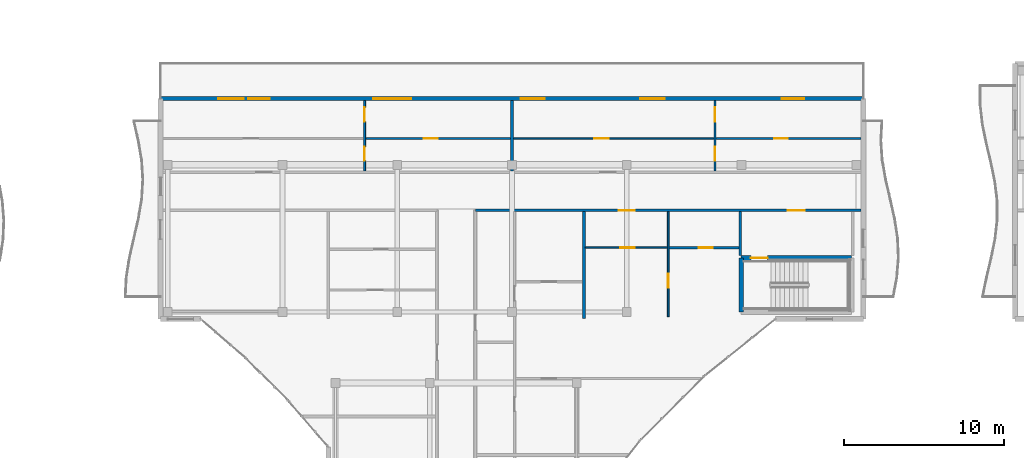
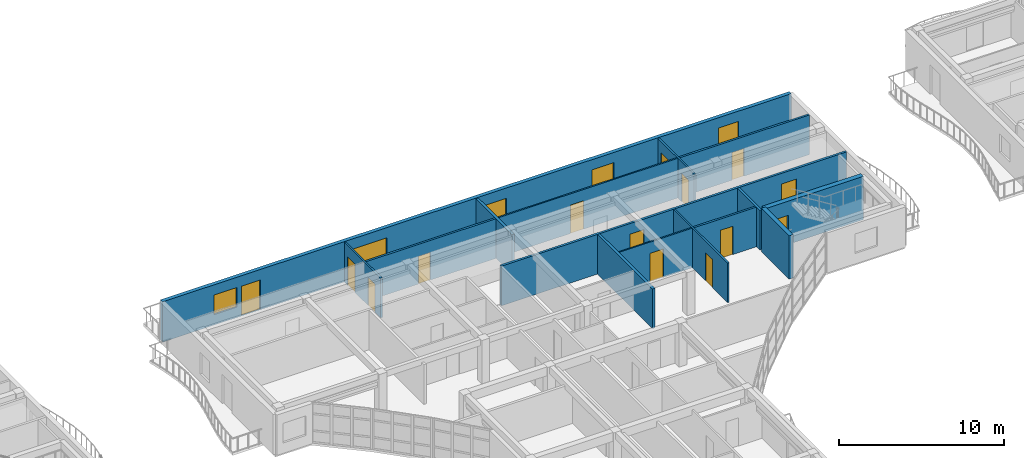
# One storey, part 33 of 54: 15 walls, 14 doors, 5 windows, 19 openings.
"""IFC4 building model written with IfcOpenShell, lengths in metres."""

from ifc_helpers import new_model, si_unit, direction, frame, frame_2d, origin, place, context, subcontext, project, spatial, rectangle, extrude, material, layer, layer_set, type_object, element, fill, save


model = new_model("IFC4")

# Units and contexts
model_context = context("Model", 3, precision=1e-05, world=origin(), true_north=direction((0.0, 1.0)))
body_context = subcontext(model_context, "Body", "Model", "MODEL_VIEW")
ifc_project = project(units=[si_unit("LENGTHUNIT", "METRE"), si_unit("AREAUNIT", "SQUARE_METRE"), si_unit("VOLUMEUNIT", "CUBIC_METRE"), si_unit("PLANEANGLEUNIT", "RADIAN"), si_unit("MASSUNIT", "GRAM", prefix="KILO")], contexts=[model_context])

# Site, building, storey
site_placement = place(None, origin())
site = spatial("IfcSite", under=ifc_project, at=site_placement, CompositionType="ELEMENT")
building_placement = place(site_placement, origin())
building = spatial("IfcBuilding", under=site, at=building_placement, Name="Keldmere Railside Commons", CompositionType="ELEMENT")
storey_placement = place(building_placement, frame((0.0, 0.0, 26.56005859375)))
storey = spatial("IfcBuildingStorey", under=building, at=storey_placement, Name="L08", CompositionType="ELEMENT", Elevation=26.56005859375)

# Walls
ifc_material_1 = material(Name="Acoustic Gypsum Board Partition", Category="gypsum")
ifc_layer_1 = layer(ifc_material_1, 0.179931640625, Name="Acoustic Demising Partition 180")
ifc_layer_set_1 = layer_set([ifc_layer_1], Name="Acoustic Gypsum Board Partition")
wall_type_1 = type_object("IfcWallType", Name="Acoustic Demising Partition 180", PredefinedType="PARTITIONING", material=ifc_layer_set_1)
wall_1_placement = place(storey_placement, frame((120.0, 100.050048828125, 0.0), z_axis=(0.0, 0.0, 1.0), x_axis=(0.0, 1.0, 0.0)))
element("IfcWall", 1, at=wall_1_placement, inside=storey, type_object=wall_type_1, Name="IW-1 IW-L08-1236", PredefinedType="PARTITIONING", context=body_context, shape_type="SweptSolid", body=[
    extrude(rectangle(XDim=6.669921875, YDim=0.179931640625, at=frame_2d((3.3349609375, 0.0))), origin(), (0.0, 0.0, 1.0), 2.93505859375),
])
wall_2_placement = place(storey_placement, frame((115.5, 109.280029296875, 0.0), z_axis=(0.0, 0.0, 1.0), x_axis=(0.0, 1.0, 0.0)))
element("IfcWall", 2, at=wall_2_placement, inside=storey, type_object=wall_type_1, Name="IW-1 IW-L08-1254", PredefinedType="PARTITIONING", context=body_context, shape_type="SweptSolid", body=[
    extrude(rectangle(XDim=4.389892578125, YDim=0.179931640625, at=frame_2d((2.19482421875, 0.0))), origin(), (0.0, 0.0, 1.0), 2.93505859375),
])

# Wall, openings, doors
ifc_layer_2 = layer(ifc_material_1, 0.1201171875, Name="Apartment Interior Partition 120")
ifc_layer_set_2 = layer_set([ifc_layer_2], Name="Acoustic Gypsum Board Partition")
wall_type_2 = type_object("IfcWallType", Name="Apartment Interior Partition 120", PredefinedType="PARTITIONING", material=ifc_layer_set_2)
wall_3_placement = place(storey_placement, frame((106.27001953125, 109.280029296875, 0.0), z_axis=(0.0, 0.0, 1.0), x_axis=(0.0, 1.0, 0.0)))
wall_3 = element("IfcWall", 3, at=wall_3_placement, inside=storey, type_object=wall_type_2, Name="IW-4 IW-L08-1255", PredefinedType="PARTITIONING", context=body_context, shape_type="SweptSolid", body=[
    extrude(rectangle(XDim=4.389892578125, YDim=0.1201171875, at=frame_2d((2.19482421875, 0.0))), origin(), (0.0, 0.0, 1.0), 2.93505859375),
])
opening_1_placement = place(wall_3_placement, frame((0.646484375, 0.0, 0.0)))
opening_1 = element("IfcOpeningElement", 4, at=opening_1_placement, cuts=wall_3, Name="Opening ID-04", PredefinedType="OPENING", context=body_context, shape_type="SweptSolid", body=[
    extrude(rectangle(XDim=0.860107421875, YDim=2.10009765625, at=frame_2d((0.43017578125, 1.050048828125))), frame((0.0, 0.070068359375, 0.0), z_axis=(0.0, -1.0, 0.0), x_axis=(1.0, 0.0, 0.0)), (0.0, 0.0, 1.0), 0.14013671875),
])
opening_2_placement = place(wall_3_placement, frame((3.08642578125, 0.0, 0.0)))
opening_2 = element("IfcOpeningElement", 5, at=opening_2_placement, cuts=wall_3, Name="Opening ID-01", PredefinedType="OPENING", context=body_context, shape_type="SweptSolid", body=[
    extrude(rectangle(XDim=0.89990234375, YDim=2.10009765625, at=frame_2d((0.449951171875, 1.050048828125))), frame((0.0, 0.070068359375, 0.0), z_axis=(0.0, -1.0, 0.0), x_axis=(1.0, 0.0, 0.0)), (0.0, 0.0, 1.0), 0.14013671875),
])
ifc_material_2 = material(Name="Engineered Oak Timber", Category="wood")
door_type_1 = type_object("IfcDoorType", Name="Apartment Bathroom Door 860x2100", OperationType="NOTDEFINED", PredefinedType="DOOR", material=ifc_material_2)
door_1_placement = place(opening_1_placement, origin())
door_1 = element("IfcDoor", 6, at=door_1_placement, inside=storey, type_object=door_type_1, Name="ID-04 IDR-L08-1117", OperationType="SINGLE_SWING_LEFT", OverallHeight=2.10009765625, OverallWidth=0.860107421875, PredefinedType="DOOR", context=body_context, shape_type="SweptSolid", body=[
    extrude(rectangle(XDim=0.860107421875, YDim=2.10009765625, at=frame_2d((0.43017578125, 1.050048828125))), frame((0.0, 0.02490234375, 0.0), z_axis=(0.0, -1.0, 0.0), x_axis=(1.0, 0.0, 0.0)), (0.0, 0.0, 1.0), 0.050048828125),
])
fill(opening_1, door_1)
door_type_2 = type_object("IfcDoorType", Name="Primary Bedroom Door 900x2100", OperationType="NOTDEFINED", PredefinedType="DOOR", material=ifc_material_2)
door_2_placement = place(opening_2_placement, origin())
door_2 = element("IfcDoor", 7, at=door_2_placement, inside=storey, type_object=door_type_2, Name="ID-01 IDR-L08-1118", OperationType="SINGLE_SWING_RIGHT", OverallHeight=2.10009765625, OverallWidth=0.89990234375, PredefinedType="DOOR", context=body_context, shape_type="SweptSolid", body=[
    extrude(rectangle(XDim=0.89990234375, YDim=2.10009765625, at=frame_2d((0.449951171875, 1.050048828125))), frame((0.0, 0.02490234375, 0.0), z_axis=(0.0, -1.0, 0.0), x_axis=(1.0, 0.0, 0.0)), (0.0, 0.0, 1.0), 0.050048828125),
])
fill(opening_2, door_2)

wall_4_placement = place(storey_placement, frame((128.2099609375, 109.280029296875, 0.0), z_axis=(0.0, 0.0, 1.0), x_axis=(0.0, 1.0, 0.0)))
wall_4 = element("IfcWall", 8, at=wall_4_placement, inside=storey, type_object=wall_type_2, Name="IW-4 IW-L08-1258", PredefinedType="PARTITIONING", context=body_context, shape_type="SweptSolid", body=[
    extrude(rectangle(XDim=4.389892578125, YDim=0.1201171875, at=frame_2d((2.19482421875, 0.0))), origin(), (0.0, 0.0, 1.0), 2.93505859375),
])
opening_3_placement = place(wall_4_placement, frame((0.646484375, 0.0, 0.0)))
opening_3 = element("IfcOpeningElement", 9, at=opening_3_placement, cuts=wall_4, Name="Opening ID-04", PredefinedType="OPENING", context=body_context, shape_type="SweptSolid", body=[
    extrude(rectangle(XDim=0.860107421875, YDim=2.10009765625, at=frame_2d((0.43017578125, 1.050048828125))), frame((0.0, 0.070068359375, 0.0), z_axis=(0.0, -1.0, 0.0), x_axis=(1.0, 0.0, 0.0)), (0.0, 0.0, 1.0), 0.14013671875),
])
opening_4_placement = place(wall_4_placement, frame((3.08642578125, 0.0, 0.0)))
opening_4 = element("IfcOpeningElement", 10, at=opening_4_placement, cuts=wall_4, Name="Opening ID-01", PredefinedType="OPENING", context=body_context, shape_type="SweptSolid", body=[
    extrude(rectangle(XDim=0.89990234375, YDim=2.10009765625, at=frame_2d((0.449951171875, 1.050048828125))), frame((0.0, 0.070068359375, 0.0), z_axis=(0.0, -1.0, 0.0), x_axis=(1.0, 0.0, 0.0)), (0.0, 0.0, 1.0), 0.14013671875),
])
door_3_placement = place(opening_3_placement, origin())
door_3 = element("IfcDoor", 11, at=door_3_placement, inside=storey, type_object=door_type_1, Name="ID-04 IDR-L08-1122", OperationType="SINGLE_SWING_RIGHT", OverallHeight=2.10009765625, OverallWidth=0.860107421875, PredefinedType="DOOR", context=body_context, shape_type="SweptSolid", body=[
    extrude(rectangle(XDim=0.860107421875, YDim=2.10009765625, at=frame_2d((0.43017578125, 1.050048828125))), frame((0.0, 0.02490234375, 0.0), z_axis=(0.0, -1.0, 0.0), x_axis=(1.0, 0.0, 0.0)), (0.0, 0.0, 1.0), 0.050048828125),
])
fill(opening_3, door_3)
door_4_placement = place(opening_4_placement, origin())
door_4 = element("IfcDoor", 12, at=door_4_placement, inside=storey, type_object=door_type_2, Name="ID-01 IDR-L08-1123", OperationType="SINGLE_SWING_LEFT", OverallHeight=2.10009765625, OverallWidth=0.89990234375, PredefinedType="DOOR", context=body_context, shape_type="SweptSolid", body=[
    extrude(rectangle(XDim=0.89990234375, YDim=2.10009765625, at=frame_2d((0.449951171875, 1.050048828125))), frame((0.0, 0.02490234375, 0.0), z_axis=(0.0, -1.0, 0.0), x_axis=(1.0, 0.0, 0.0)), (0.0, 0.0, 1.0), 0.050048828125),
])
fill(opening_4, door_4)

# Wall, opening, door
wall_5_placement = place(storey_placement, frame((125.280029296875, 100.159912109375, 0.0), z_axis=(0.0, 0.0, 1.0), x_axis=(0.0, 1.0, 0.0)))
wall_5 = element("IfcWall", 13, at=wall_5_placement, inside=storey, type_object=wall_type_2, Name="IW-4 IW-L08-1261", PredefinedType="PARTITIONING", context=body_context, shape_type="SweptSolid", body=[
    extrude(rectangle(XDim=6.56005859375, YDim=0.1201171875, at=frame_2d((3.280029296875, 0.0))), origin(), (0.0, 0.0, 1.0), 2.93505859375),
])
opening_5_placement = place(wall_5_placement, frame((1.810302734375, 0.0, 0.0)))
opening_5 = element("IfcOpeningElement", 14, at=opening_5_placement, cuts=wall_5, Name="Opening ID-02", PredefinedType="OPENING", context=body_context, shape_type="SweptSolid", body=[
    extrude(rectangle(XDim=0.8798828125, YDim=2.10009765625, at=frame_2d((0.43994140625, 1.050048828125))), frame((0.0, 0.070068359375, 0.0), z_axis=(0.0, -1.0, 0.0), x_axis=(1.0, 0.0, 0.0)), (0.0, 0.0, 1.0), 0.14013671875),
])
door_type_3 = type_object("IfcDoorType", Name="Secondary Bedroom Door 880x2100", OperationType="NOTDEFINED", PredefinedType="DOOR", material=ifc_material_2)
door_5_placement = place(opening_5_placement, origin())
door_5 = element("IfcDoor", 15, at=door_5_placement, inside=storey, type_object=door_type_3, Name="ID-02 IDR-L08-1127", OperationType="SINGLE_SWING_LEFT", OverallHeight=2.10009765625, OverallWidth=0.8798828125, PredefinedType="DOOR", context=body_context, shape_type="SweptSolid", body=[
    extrude(rectangle(XDim=0.8798828125, YDim=2.10009765625, at=frame_2d((0.43994140625, 1.050048828125))), frame((0.0, 0.02490234375, 0.0), z_axis=(0.0, -1.0, 0.0), x_axis=(1.0, 0.0, 0.0)), (0.0, 0.0, 1.0), 0.050048828125),
])
fill(opening_5, door_5)

ifc_layer_3 = layer(ifc_material_1, 0.10009765625, Name="Closet Light Partition 100")
ifc_layer_set_3 = layer_set([ifc_layer_3], Name="Acoustic Gypsum Board Partition")
wall_type_3 = type_object("IfcWallType", Name="Closet Light Partition 100", PredefinedType="PARTITIONING", material=ifc_layer_set_3)
wall_6_placement = place(storey_placement, frame((115.590087890625, 111.300048828125, 0.0), z_axis=(0.0, 0.0, 1.0), x_axis=(1.0, 0.0, 0.0)))
wall_6 = element("IfcWall", 16, at=wall_6_placement, inside=storey, type_object=wall_type_3, Name="IW-6 IW-L08-1260", PredefinedType="PARTITIONING", context=body_context, shape_type="SweptSolid", body=[
    extrude(rectangle(XDim=12.559814453125, YDim=0.10009765625, at=frame_2d((6.27978515625, 0.0))), origin(), (0.0, 0.0, 1.0), 2.93505859375),
])
opening_6_placement = place(wall_6_placement, frame((5.048095703125, 0.0, 0.0)))
opening_6 = element("IfcOpeningElement", 17, at=opening_6_placement, cuts=wall_6, Name="Opening ID-03", PredefinedType="OPENING", context=body_context, shape_type="SweptSolid", body=[
    extrude(rectangle(XDim=0.919921875, YDim=2.10009765625, at=frame_2d((0.4599609375, 1.050048828125))), frame((0.0, 0.06005859375, 0.0), z_axis=(0.0, -1.0, 0.0), x_axis=(1.0, 0.0, 0.0)), (0.0, 0.0, 1.0), 0.1201171875),
])
door_type_4 = type_object("IfcDoorType", Name="Kitchen Pocket-Frame Swing Door 920x2100", OperationType="NOTDEFINED", PredefinedType="DOOR", material=ifc_material_2)
door_6_placement = place(opening_6_placement, origin())
door_6 = element("IfcDoor", 18, at=door_6_placement, inside=storey, type_object=door_type_4, Name="ID-03 IDR-L08-1121", OperationType="SINGLE_SWING_LEFT", OverallHeight=2.10009765625, OverallWidth=0.919921875, PredefinedType="DOOR", context=body_context, shape_type="SweptSolid", body=[
    extrude(rectangle(XDim=0.919921875, YDim=2.10009765625, at=frame_2d((0.4599609375, 1.050048828125))), frame((0.0, 0.02490234375, 0.0), z_axis=(0.0, -1.0, 0.0), x_axis=(1.0, 0.0, 0.0)), (0.0, 0.0, 1.0), 0.050048828125),
])
fill(opening_6, door_6)

wall_7_placement = place(storey_placement, frame((120.090087890625, 104.469970703125, 0.0), z_axis=(0.0, 0.0, 1.0), x_axis=(1.0, 0.0, 0.0)))
wall_7 = element("IfcWall", 19, at=wall_7_placement, inside=storey, type_object=wall_type_3, Name="IW-6 IW-L08-1263", PredefinedType="PARTITIONING", context=body_context, shape_type="SweptSolid", body=[
    extrude(rectangle(XDim=5.1298828125, YDim=0.10009765625, at=frame_2d((2.56494140625, 0.0))), origin(), (0.0, 0.0, 1.0), 2.93505859375),
])
opening_7_placement = place(wall_7_placement, frame((2.1796875, 0.0, 0.0)))
opening_7 = element("IfcOpeningElement", 20, at=opening_7_placement, cuts=wall_7, Name="Opening ID-03", PredefinedType="OPENING", context=body_context, shape_type="SweptSolid", body=[
    extrude(rectangle(XDim=0.919921875, YDim=2.10009765625, at=frame_2d((0.4599609375, 1.050048828125))), frame((0.0, 0.06005859375, 0.0), z_axis=(0.0, -1.0, 0.0), x_axis=(1.0, 0.0, 0.0)), (0.0, 0.0, 1.0), 0.1201171875),
])
door_7_placement = place(opening_7_placement, origin())
door_7 = element("IfcDoor", 21, at=door_7_placement, inside=storey, type_object=door_type_4, Name="ID-03 IDR-L08-1126", OperationType="SINGLE_SWING_RIGHT", OverallHeight=2.10009765625, OverallWidth=0.919921875, PredefinedType="DOOR", context=body_context, shape_type="SweptSolid", body=[
    extrude(rectangle(XDim=0.919921875, YDim=2.10009765625, at=frame_2d((0.4599609375, 1.050048828125))), frame((0.0, 0.02490234375, 0.0), z_axis=(0.0, -1.0, 0.0), x_axis=(1.0, 0.0, 0.0)), (0.0, 0.0, 1.0), 0.050048828125),
])
fill(opening_7, door_7)

# Wall, openings, doors
ifc_layer_4 = layer(ifc_material_1, 0.159912109375, Name="Corridor Fire Partition 160")
ifc_layer_set_4 = layer_set([ifc_layer_4], Name="Acoustic Gypsum Board Partition")
wall_type_4 = type_object("IfcWallType", Name="Corridor Fire Partition 160", PredefinedType="PARTITIONING", material=ifc_layer_set_4)
wall_8_placement = place(storey_placement, frame((113.199951171875, 106.800048828125, 0.0), z_axis=(0.0, 0.0, 1.0), x_axis=(1.0, 0.0, 0.0)))
wall_8 = element("IfcWall", 22, at=wall_8_placement, inside=storey, type_object=wall_type_4, Name="IW-2 IW-L08-1234", PredefinedType="PARTITIONING", context=body_context, shape_type="SweptSolid", body=[
    extrude(rectangle(XDim=24.14013671875, YDim=0.159912109375, at=frame_2d((12.070068359375, 0.0))), origin(), (0.0, 0.0, 1.0), 2.93505859375),
])
opening_8_placement = place(wall_8_placement, frame((19.574951171875, 0.0, 0.0)))
opening_8 = element("IfcOpeningElement", 23, at=opening_8_placement, cuts=wall_8, Name="Opening FD-1", PredefinedType="OPENING", context=body_context, shape_type="SweptSolid", body=[
    extrude(rectangle(XDim=1.050048828125, YDim=2.14990234375, at=frame_2d((0.52490234375, 1.074951171875))), frame((0.0, 0.08984375, 0.0), z_axis=(0.0, -1.0, 0.0), x_axis=(1.0, 0.0, 0.0)), (0.0, 0.0, 1.0), 0.179931640625),
])
opening_9_placement = place(wall_8_placement, frame((8.9951171875, 0.0, 0.0)))
opening_9 = element("IfcOpeningElement", 24, at=opening_9_placement, cuts=wall_8, Name="Opening FD-7", PredefinedType="OPENING", context=body_context, shape_type="SweptSolid", body=[
    extrude(rectangle(XDim=0.97998046875, YDim=2.14990234375, at=frame_2d((0.489990234375, 1.074951171875))), frame((0.0, 0.08984375, 0.0), z_axis=(0.0, -1.0, 0.0), x_axis=(1.0, 0.0, 0.0)), (0.0, 0.0, 1.0), 0.179931640625),
])
door_type_5 = type_object("IfcDoorType", Name="Apartment Entrance Acoustic Fire Door 980x2150", OperationType="NOTDEFINED", PredefinedType="DOOR", material=ifc_material_2)
door_8_placement = place(opening_9_placement, origin())
door_8 = element("IfcDoor", 25, at=door_8_placement, inside=storey, type_object=door_type_5, Name="FD-7 IDR-L08-1125", OperationType="SINGLE_SWING_LEFT", OverallHeight=2.14990234375, OverallWidth=0.97998046875, PredefinedType="DOOR", context=body_context, shape_type="SweptSolid", body=[
    extrude(rectangle(XDim=0.97998046875, YDim=2.14990234375, at=frame_2d((0.489990234375, 1.074951171875))), frame((0.0, 0.02490234375, 0.0), z_axis=(0.0, -1.0, 0.0), x_axis=(1.0, 0.0, 0.0)), (0.0, 0.0, 1.0), 0.050048828125),
])
fill(opening_9, door_8)
ifc_material_3 = material(Name="Steel F-24 (S235)", Category="steel")
door_type_6 = type_object("IfcDoorType", Name="Stair Core Fire Door 1050x2150", OperationType="NOTDEFINED", PredefinedType="DOOR", material=ifc_material_3)
door_9_placement = place(opening_8_placement, origin())
door_9 = element("IfcDoor", 26, at=door_9_placement, inside=storey, type_object=door_type_6, Name="FD-1 IDR-L08-1097", OperationType="SINGLE_SWING_LEFT", OverallHeight=2.14990234375, OverallWidth=1.050048828125, PredefinedType="DOOR", context=body_context, shape_type="SweptSolid", body=[
    extrude(rectangle(XDim=1.050048828125, YDim=2.14990234375, at=frame_2d((0.52490234375, 1.074951171875))), frame((0.0, 0.02490234375, 0.0), z_axis=(0.0, -1.0, 0.0), x_axis=(1.0, 0.0, 0.0)), (0.0, 0.0, 1.0), 0.050048828125),
])
fill(opening_8, door_9)

# Wall
ifc_material_4 = material(Name="Concrete H-35 (C35/45)", Category="concrete")
ifc_layer_5 = layer(ifc_material_4, 0.300048828125, Name="Interior Shear Wall 300")
ifc_layer_set_5 = layer_set([ifc_layer_5], Name="Concrete H-35 (C35/45)")
wall_type_5 = type_object("IfcWallType", Name="Interior Shear Wall 300", PredefinedType="SHEAR", material=ifc_layer_set_5)
wall_9_placement = place(storey_placement, frame((129.85009765625, 103.820068359375, 0.0), z_axis=(0.0, 0.0, 1.0), x_axis=(0.0, -1.0, 0.0)))
element("IfcWall", 27, at=wall_9_placement, inside=storey, type_object=wall_type_5, Name="ISW-2 COREB2W-L08-0538", PredefinedType="SHEAR", context=body_context, shape_type="SweptSolid", body=[
    extrude(rectangle(XDim=3.3701171875, YDim=0.300048828125, at=frame_2d((1.68505859375, 0.0))), origin(), (0.0, 0.0, 1.0), 3.199951171875),
])

# Wall, opening, door
ifc_layer_6 = layer(ifc_material_4, 0.340087890625, Name="Interior Shear Wall 340")
ifc_layer_set_6 = layer_set([ifc_layer_6], Name="Concrete H-35 (C35/45)")
wall_type_6 = type_object("IfcWallType", Name="Interior Shear Wall 340", PredefinedType="SHEAR", material=ifc_layer_set_6)
wall_10_placement = place(storey_placement, frame((136.75, 103.820068359375, 0.0), z_axis=(0.0, 0.0, 1.0), x_axis=(-1.0, 0.0, 0.0)))
wall_10 = element("IfcWall", 28, at=wall_10_placement, inside=storey, type_object=wall_type_6, Name="ISW-1 COREB2N-L08-0537", PredefinedType="SHEAR", context=body_context, shape_type="SweptSolid", body=[
    extrude(rectangle(XDim=6.89990234375, YDim=0.340087890625, at=frame_2d((3.449951171875, 0.0))), origin(), (0.0, 0.0, 1.0), 3.199951171875),
])
opening_10_placement = place(wall_10_placement, frame((5.25, 0.0, 0.0)))
opening_10 = element("IfcOpeningElement", 29, at=opening_10_placement, cuts=wall_10, Name="Opening FD-1", PredefinedType="OPENING", context=body_context, shape_type="SweptSolid", body=[
    extrude(rectangle(XDim=1.050048828125, YDim=2.14990234375, at=frame_2d((0.52490234375, 1.074951171875))), frame((0.0, 0.179931640625, 0.0), z_axis=(0.0, -1.0, 0.0), x_axis=(1.0, 0.0, 0.0)), (0.0, 0.0, 1.0), 0.360107421875),
])
door_10_placement = place(opening_10_placement, origin())
door_10 = element("IfcDoor", 30, at=door_10_placement, inside=storey, type_object=door_type_6, Name="FD-1 B2 L08", OperationType="SINGLE_SWING_RIGHT", OverallHeight=2.14990234375, OverallWidth=1.050048828125, PredefinedType="DOOR", context=body_context, shape_type="SweptSolid", body=[
    extrude(rectangle(XDim=1.050048828125, YDim=2.14990234375, at=frame_2d((0.52490234375, 1.074951171875))), frame((0.0, 0.02490234375, 0.0), z_axis=(0.0, -1.0, 0.0), x_axis=(1.0, 0.0, 0.0)), (0.0, 0.0, 1.0), 0.050048828125),
])
fill(opening_10, door_10)

# Wall
ifc_layer_7 = layer(ifc_material_1, 0.14990234375, Name="Lobby Rated Partition 150")
ifc_layer_set_7 = layer_set([ifc_layer_7], Name="Acoustic Gypsum Board Partition")
wall_type_7 = type_object("IfcWallType", Name="Lobby Rated Partition 150", PredefinedType="PARTITIONING", material=ifc_layer_set_7)
wall_11_placement = place(storey_placement, frame((129.780029296875, 103.989990234375, 0.0), z_axis=(0.0, 0.0, 1.0), x_axis=(0.0, 1.0, 0.0)))
element("IfcWall", 31, at=wall_11_placement, inside=storey, type_object=wall_type_7, Name="IW-3 IW-L08-1238", PredefinedType="PARTITIONING", context=body_context, shape_type="SweptSolid", body=[
    extrude(rectangle(XDim=2.72998046875, YDim=0.14990234375, at=frame_2d((1.364990234375, 0.0))), origin(), (0.0, 0.0, 1.0), 2.93505859375),
])

# Wall, openings, windows, door
ifc_material_5 = material(Name="Terracotta Brick Masonry", Category="masonry")
ifc_layer_8 = layer(ifc_material_5, 0.260009765625, Name="Terracotta Cavity Wall 260")
ifc_layer_set_8 = layer_set([ifc_layer_8], Name="Terracotta Brick Masonry")
wall_type_8 = type_object("IfcWallType", Name="Terracotta Cavity Wall 260", PredefinedType="SOLIDWALL", material=ifc_layer_set_8)
wall_12_placement = place(storey_placement, frame((93.5, 113.800048828125, 0.0), z_axis=(0.0, 0.0, 1.0), x_axis=(1.0, 0.0, 0.0)))
wall_12 = element("IfcWall", 32, at=wall_12_placement, inside=storey, type_object=wall_type_8, Name="EW-1 EXTB-L08-0651", PredefinedType="SOLIDWALL", context=body_context, shape_type="SweptSolid", body=[
    extrude(rectangle(XDim=44.0, YDim=0.260009765625, at=frame_2d((22.0, 0.0))), origin(), (0.0, 0.0, 1.0), 2.97998046875),
])
opening_11_placement = place(wall_12_placement, frame((5.5, 0.0, 0.0)))
opening_11 = element("IfcOpeningElement", 33, at=opening_11_placement, cuts=wall_12, Name="Opening BD-03", PredefinedType="OPENING", context=body_context, shape_type="SweptSolid", body=[
    extrude(rectangle(XDim=1.35009765625, YDim=2.199951171875, at=frame_2d((0.675048828125, 1.10009765625))), frame((0.0, 0.139892578125, 0.0), z_axis=(0.0, -1.0, 0.0), x_axis=(1.0, 0.0, 0.0)), (0.0, 0.0, 1.0), 0.280029296875),
])
opening_12_placement = place(wall_12_placement, frame((3.60009765625, 0.0, 0.77001953125)))
opening_12 = element("IfcOpeningElement", 34, at=opening_12_placement, cuts=wall_12, Name="Opening WN-04", PredefinedType="OPENING", context=body_context, shape_type="SweptSolid", body=[
    extrude(rectangle(XDim=1.60009765625, YDim=1.449951171875, at=frame_2d((0.800048828125, 0.72509765625))), frame((0.0, 0.139892578125, 0.0), z_axis=(0.0, -1.0, 0.0), x_axis=(1.0, 0.0, 0.0)), (0.0, 0.0, 1.0), 0.280029296875),
])
opening_13_placement = place(wall_12_placement, frame((13.300048828125, 0.0, 0.719970703125)))
opening_13 = element("IfcOpeningElement", 35, at=opening_13_placement, cuts=wall_12, Name="Opening WN-05", PredefinedType="OPENING", context=body_context, shape_type="SweptSolid", body=[
    extrude(rectangle(XDim=2.39990234375, YDim=1.5, at=frame_2d((1.199951171875, 0.75))), frame((0.0, 0.139892578125, 0.0), z_axis=(0.0, -1.0, 0.0), x_axis=(1.0, 0.0, 0.0)), (0.0, 0.0, 1.0), 0.280029296875),
])
opening_14_placement = place(wall_12_placement, frame((22.550048828125, 0.0, 0.820068359375)))
opening_14 = element("IfcOpeningElement", 36, at=opening_14_placement, cuts=wall_12, Name="Opening WN-06", PredefinedType="OPENING", context=body_context, shape_type="SweptSolid", body=[
    extrude(rectangle(XDim=1.5, YDim=1.39990234375, at=frame_2d((0.75, 0.699951171875))), frame((0.0, 0.139892578125, 0.0), z_axis=(0.0, -1.0, 0.0), x_axis=(1.0, 0.0, 0.0)), (0.0, 0.0, 1.0), 0.280029296875),
])
opening_15_placement = place(wall_12_placement, frame((30.02490234375, 0.0, 0.820068359375)))
opening_15 = element("IfcOpeningElement", 37, at=opening_15_placement, cuts=wall_12, Name="Opening WN-07", PredefinedType="OPENING", context=body_context, shape_type="SweptSolid", body=[
    extrude(rectangle(XDim=1.550048828125, YDim=1.39990234375, at=frame_2d((0.77490234375, 0.699951171875))), frame((0.0, 0.139892578125, 0.0), z_axis=(0.0, -1.0, 0.0), x_axis=(1.0, 0.0, 0.0)), (0.0, 0.0, 1.0), 0.280029296875),
])
opening_16_placement = place(wall_12_placement, frame((38.89990234375, 0.0, 0.8701171875)))
opening_16 = element("IfcOpeningElement", 38, at=opening_16_placement, cuts=wall_12, Name="Opening WN-08", PredefinedType="OPENING", context=body_context, shape_type="SweptSolid", body=[
    extrude(rectangle(XDim=1.39990234375, YDim=1.35009765625, at=frame_2d((0.699951171875, 0.675048828125))), frame((0.0, 0.139892578125, 0.0), z_axis=(0.0, -1.0, 0.0), x_axis=(1.0, 0.0, 0.0)), (0.0, 0.0, 1.0), 0.280029296875),
])
ifc_material_6 = material(Name="Low-E Insulated Double Glazing", Category="glass")
window_type_1 = type_object("IfcWindowType", Name="Corner Dual-Aspect Ribbon Window 2400x1500", PartitioningType="SINGLE_PANEL", PredefinedType="WINDOW", material=ifc_material_6)
window_1_placement = place(opening_13_placement, origin())
window_1 = element("IfcWindow", 39, at=window_1_placement, inside=storey, type_object=window_type_1, Name="WN-05 WIN-L08-0499", OverallHeight=1.5, OverallWidth=2.39990234375, PartitioningType="SINGLE_PANEL", PredefinedType="WINDOW", context=body_context, shape_type="SweptSolid", body=[
    extrude(rectangle(XDim=2.39990234375, YDim=1.5, at=frame_2d((1.199951171875, 0.75))), frame((0.0, 0.030029296875, 0.0), z_axis=(0.0, -1.0, 0.0), x_axis=(1.0, 0.0, 0.0)), (0.0, 0.0, 1.0), 0.06005859375),
])
fill(opening_13, window_1)
window_type_2 = type_object("IfcWindowType", Name="Living Room West Shaded Window 1600x1450", PartitioningType="SINGLE_PANEL", PredefinedType="WINDOW", material=ifc_material_6)
window_2_placement = place(opening_12_placement, origin())
window_2 = element("IfcWindow", 40, at=window_2_placement, inside=storey, type_object=window_type_2, Name="WN-04 WIN-L08-0498", OverallHeight=1.449951171875, OverallWidth=1.60009765625, PartitioningType="SINGLE_PANEL", PredefinedType="WINDOW", context=body_context, shape_type="SweptSolid", body=[
    extrude(rectangle(XDim=1.60009765625, YDim=1.449951171875, at=frame_2d((0.800048828125, 0.72509765625))), frame((0.0, 0.030029296875, 0.0), z_axis=(0.0, -1.0, 0.0), x_axis=(1.0, 0.0, 0.0)), (0.0, 0.0, 1.0), 0.06005859375),
])
fill(opening_12, window_2)
ifc_material_7 = material(Name="Thermally Broken Aluminium", Category="aluminium")
door_type_7 = type_object("IfcDoorType", Name="Planted Roof-Terrace Lounge Door 1350x2200", OperationType="NOTDEFINED", PredefinedType="DOOR", material=ifc_material_7)
door_11_placement = place(opening_11_placement, origin())
door_11 = element("IfcDoor", 41, at=door_11_placement, inside=storey, type_object=door_type_7, Name="BD-03 DR-L08-0187", OperationType="SINGLE_SWING_LEFT", OverallHeight=2.199951171875, OverallWidth=1.35009765625, PredefinedType="DOOR", context=body_context, shape_type="SweptSolid", body=[
    extrude(rectangle(XDim=1.35009765625, YDim=2.199951171875, at=frame_2d((0.675048828125, 1.10009765625))), frame((0.0, 0.02490234375, 0.0), z_axis=(0.0, -1.0, 0.0), x_axis=(1.0, 0.0, 0.0)), (0.0, 0.0, 1.0), 0.050048828125),
])
fill(opening_11, door_11)
window_type_3 = type_object("IfcWindowType", Name="Primary Bedroom East/West Window 1400x1350", PartitioningType="SINGLE_PANEL", PredefinedType="WINDOW", material=ifc_material_6)
window_3_placement = place(opening_16_placement, origin())
window_3 = element("IfcWindow", 42, at=window_3_placement, inside=storey, type_object=window_type_3, Name="WN-08 WIN-L08-0502", OverallHeight=1.35009765625, OverallWidth=1.39990234375, PartitioningType="SINGLE_PANEL", PredefinedType="WINDOW", context=body_context, shape_type="SweptSolid", body=[
    extrude(rectangle(XDim=1.39990234375, YDim=1.35009765625, at=frame_2d((0.699951171875, 0.675048828125))), frame((0.0, 0.030029296875, 0.0), z_axis=(0.0, -1.0, 0.0), x_axis=(1.0, 0.0, 0.0)), (0.0, 0.0, 1.0), 0.06005859375),
])
fill(opening_16, window_3)
window_type_4 = type_object("IfcWindowType", Name="Primary Bedroom North Window 1500x1400", PartitioningType="SINGLE_PANEL", PredefinedType="WINDOW", material=ifc_material_6)
window_4_placement = place(opening_14_placement, origin())
window_4 = element("IfcWindow", 43, at=window_4_placement, inside=storey, type_object=window_type_4, Name="WN-06 WIN-L08-0500", OverallHeight=1.39990234375, OverallWidth=1.5, PartitioningType="SINGLE_PANEL", PredefinedType="WINDOW", context=body_context, shape_type="SweptSolid", body=[
    extrude(rectangle(XDim=1.5, YDim=1.39990234375, at=frame_2d((0.75, 0.699951171875))), frame((0.0, 0.030029296875, 0.0), z_axis=(0.0, -1.0, 0.0), x_axis=(1.0, 0.0, 0.0)), (0.0, 0.0, 1.0), 0.06005859375),
])
fill(opening_14, window_4)
window_type_5 = type_object("IfcWindowType", Name="Primary Bedroom South Window 1550x1400", PartitioningType="SINGLE_PANEL", PredefinedType="WINDOW", material=ifc_material_6)
window_5_placement = place(opening_15_placement, origin())
window_5 = element("IfcWindow", 44, at=window_5_placement, inside=storey, type_object=window_type_5, Name="WN-07 WIN-L08-0501", OverallHeight=1.39990234375, OverallWidth=1.550048828125, PartitioningType="SINGLE_PANEL", PredefinedType="WINDOW", context=body_context, shape_type="SweptSolid", body=[
    extrude(rectangle(XDim=1.550048828125, YDim=1.39990234375, at=frame_2d((0.77490234375, 0.699951171875))), frame((0.0, 0.030029296875, 0.0), z_axis=(0.0, -1.0, 0.0), x_axis=(1.0, 0.0, 0.0)), (0.0, 0.0, 1.0), 0.06005859375),
])
fill(opening_15, window_5)

# Wall, opening, door
ifc_layer_9 = layer(ifc_material_1, 0.139892578125, Name="Wet-Room Sanitary Partition 140")
ifc_layer_set_9 = layer_set([ifc_layer_9], Name="Acoustic Gypsum Board Partition")
wall_type_9 = type_object("IfcWallType", Name="Wet-Room Sanitary Partition 140", PredefinedType="PARTITIONING", material=ifc_layer_set_9)
wall_13_placement = place(storey_placement, frame((106.330078125, 111.300048828125, 0.0), z_axis=(0.0, 0.0, 1.0), x_axis=(1.0, 0.0, 0.0)))
wall_13 = element("IfcWall", 45, at=wall_13_placement, inside=storey, type_object=wall_type_9, Name="IW-5 IW-L08-1256", PredefinedType="PARTITIONING", context=body_context, shape_type="SweptSolid", body=[
    extrude(rectangle(XDim=9.079833984375, YDim=0.139892578125, at=frame_2d((4.5400390625, 0.0))), origin(), (0.0, 0.0, 1.0), 2.93505859375),
])
opening_17_placement = place(wall_13_placement, frame((3.656005859375, 0.0, 0.0)))
opening_17 = element("IfcOpeningElement", 46, at=opening_17_placement, cuts=wall_13, Name="Opening ID-06", PredefinedType="OPENING", context=body_context, shape_type="SweptSolid", body=[
    extrude(rectangle(XDim=0.85009765625, YDim=2.050048828125, at=frame_2d((0.425048828125, 1.02490234375))), frame((0.0, 0.079833984375, 0.0), z_axis=(0.0, -1.0, 0.0), x_axis=(1.0, 0.0, 0.0)), (0.0, 0.0, 1.0), 0.159912109375),
])
door_type_8 = type_object("IfcDoorType", Name="Storage Closet Door 850x2050", OperationType="NOTDEFINED", PredefinedType="DOOR", material=ifc_material_2)
door_12_placement = place(opening_17_placement, origin())
door_12 = element("IfcDoor", 47, at=door_12_placement, inside=storey, type_object=door_type_8, Name="ID-06 IDR-L08-1119", OperationType="SINGLE_SWING_LEFT", OverallHeight=2.050048828125, OverallWidth=0.85009765625, PredefinedType="DOOR", context=body_context, shape_type="SweptSolid", body=[
    extrude(rectangle(XDim=0.85009765625, YDim=2.050048828125, at=frame_2d((0.425048828125, 1.02490234375))), frame((0.0, 0.02490234375, 0.0), z_axis=(0.0, -1.0, 0.0), x_axis=(1.0, 0.0, 0.0)), (0.0, 0.0, 1.0), 0.050048828125),
])
fill(opening_17, door_12)

wall_14_placement = place(storey_placement, frame((128.27001953125, 111.300048828125, 0.0), z_axis=(0.0, 0.0, 1.0), x_axis=(1.0, 0.0, 0.0)))
wall_14 = element("IfcWall", 48, at=wall_14_placement, inside=storey, type_object=wall_type_9, Name="IW-5 IW-L08-1259", PredefinedType="PARTITIONING", context=body_context, shape_type="SweptSolid", body=[
    extrude(rectangle(XDim=9.070068359375, YDim=0.139892578125, at=frame_2d((4.53515625, 0.0))), origin(), (0.0, 0.0, 1.0), 2.93505859375),
])
opening_18_placement = place(wall_14_placement, frame((3.652099609375, 0.0, 0.0)))
opening_18 = element("IfcOpeningElement", 49, at=opening_18_placement, cuts=wall_14, Name="Opening ID-06", PredefinedType="OPENING", context=body_context, shape_type="SweptSolid", body=[
    extrude(rectangle(XDim=0.85009765625, YDim=2.050048828125, at=frame_2d((0.425048828125, 1.02490234375))), frame((0.0, 0.079833984375, 0.0), z_axis=(0.0, -1.0, 0.0), x_axis=(1.0, 0.0, 0.0)), (0.0, 0.0, 1.0), 0.159912109375),
])
door_13_placement = place(opening_18_placement, origin())
door_13 = element("IfcDoor", 50, at=door_13_placement, inside=storey, type_object=door_type_8, Name="ID-06 IDR-L08-1124", OperationType="SINGLE_SWING_RIGHT", OverallHeight=2.050048828125, OverallWidth=0.85009765625, PredefinedType="DOOR", context=body_context, shape_type="SweptSolid", body=[
    extrude(rectangle(XDim=0.85009765625, YDim=2.050048828125, at=frame_2d((0.425048828125, 1.02490234375))), frame((0.0, 0.02490234375, 0.0), z_axis=(0.0, -1.0, 0.0), x_axis=(1.0, 0.0, 0.0)), (0.0, 0.0, 1.0), 0.050048828125),
])
fill(opening_18, door_13)

wall_15_placement = place(storey_placement, frame((125.340087890625, 104.469970703125, 0.0), z_axis=(0.0, 0.0, 1.0), x_axis=(1.0, 0.0, 0.0)))
wall_15 = element("IfcWall", 51, at=wall_15_placement, inside=storey, type_object=wall_type_9, Name="IW-5 IW-L08-1262", PredefinedType="PARTITIONING", context=body_context, shape_type="SweptSolid", body=[
    extrude(rectangle(XDim=4.35986328125, YDim=0.139892578125, at=frame_2d((2.179931640625, 0.0))), origin(), (0.0, 0.0, 1.0), 2.93505859375),
])
opening_19_placement = place(wall_15_placement, frame((1.8564453125, 0.0, 0.0)))
opening_19 = element("IfcOpeningElement", 52, at=opening_19_placement, cuts=wall_15, Name="Opening ID-04", PredefinedType="OPENING", context=body_context, shape_type="SweptSolid", body=[
    extrude(rectangle(XDim=0.860107421875, YDim=2.10009765625, at=frame_2d((0.43017578125, 1.050048828125))), frame((0.0, 0.079833984375, 0.0), z_axis=(0.0, -1.0, 0.0), x_axis=(1.0, 0.0, 0.0)), (0.0, 0.0, 1.0), 0.159912109375),
])
door_14_placement = place(opening_19_placement, origin())
door_14 = element("IfcDoor", 53, at=door_14_placement, inside=storey, type_object=door_type_1, Name="ID-04 IDR-L08-1128", OperationType="SINGLE_SWING_RIGHT", OverallHeight=2.10009765625, OverallWidth=0.860107421875, PredefinedType="DOOR", context=body_context, shape_type="SweptSolid", body=[
    extrude(rectangle(XDim=0.860107421875, YDim=2.10009765625, at=frame_2d((0.43017578125, 1.050048828125))), frame((0.0, 0.02490234375, 0.0), z_axis=(0.0, -1.0, 0.0), x_axis=(1.0, 0.0, 0.0)), (0.0, 0.0, 1.0), 0.050048828125),
])
fill(opening_19, door_14)

save(model, "model.ifc")
